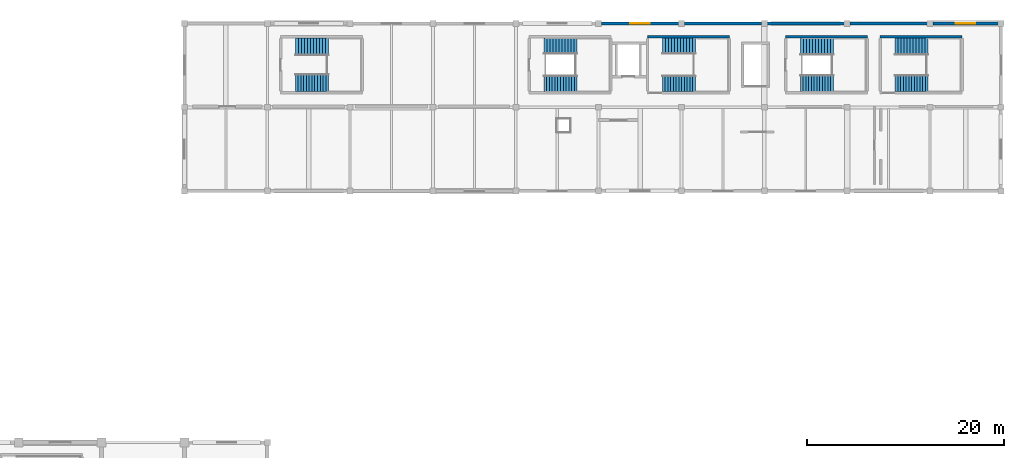
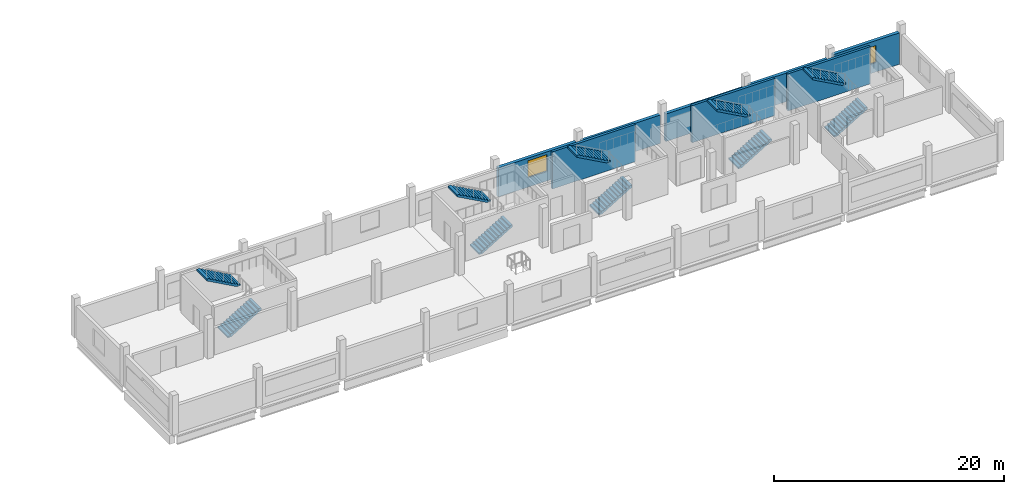
# One storey, part 47 of 52: 10 stair flights, 8 walls, 2 windows, 2 openings, 5 elements without a shape of their own.
"""IFC4 building model written with IfcOpenShell, lengths in metres."""

from ifc_helpers import new_model, si_unit, direction, frame, frame_2d, origin, place, context, subcontext, project, spatial, polyline, rectangle, outline, extrude, material, layer, layer_set, type_object, element, fill, aggregate, save


model = new_model("IFC4")

# Units and contexts
model_context = context("Model", 3, precision=1e-05, world=origin(), true_north=direction((0.0, 1.0)))
body_context = subcontext(model_context, "Body", "Model", "MODEL_VIEW")
ifc_project = project(units=[si_unit("LENGTHUNIT", "METRE"), si_unit("AREAUNIT", "SQUARE_METRE"), si_unit("VOLUMEUNIT", "CUBIC_METRE"), si_unit("PLANEANGLEUNIT", "RADIAN"), si_unit("MASSUNIT", "GRAM", prefix="KILO")], contexts=[model_context])

# Site, building, storey
site_placement = place(None, origin())
site = spatial("IfcSite", under=ifc_project, at=site_placement, CompositionType="ELEMENT")
building_placement = place(site_placement, origin())
building = spatial("IfcBuilding", under=site, at=building_placement, Name="Solvento Point Concert Hall", CompositionType="ELEMENT")
storey_placement = place(building_placement, frame((0.0, 0.0, 19.5)))
storey = spatial("IfcBuildingStorey", under=building, at=storey_placement, Name="L04", CompositionType="ELEMENT", Elevation=19.5)

# Walls
ifc_material_1 = material(Name="Concrete C40/50", Category="concrete")
ifc_layer_1 = layer(ifc_material_1, 0.300048828125)
ifc_layer_set_1 = layer_set([ifc_layer_1], Name="Concrete C40/50")
wall_type_1 = type_object("IfcWallType", Name="CoreShearWall_300", PredefinedType="SHEAR", material=ifc_layer_set_1)
for number, where, z_axis, x_axis, name in (
    (1, (194.14990234375, 134.64990234375, 0.0), (0.0, 0.0, 1.0), (1.0, 0.0, 0.0), "Stair core shear wall W-SH1 ST-02 L04"),
    (2, (180.14990234375, 134.64990234375, 0.0), (0.0, 0.0, 1.0), (1.0, 0.0, 0.0), "Stair core shear wall W-SH1 ST-10 L04"),
    (3, (203.75, 134.64990234375, 0.0), (0.0, 0.0, 1.0), (1.0, 0.0, 0.0), "Stair core shear wall W-SH1 ST-11 L04"),
):
    element("IfcWall", number, at=place(storey_placement, frame(where, z_axis=z_axis, x_axis=x_axis)), inside=storey, type_object=wall_type_1, Name=name, PredefinedType="SHEAR", context=body_context, shape_type="SweptSolid", body=[
        extrude(rectangle(XDim=8.300048828125, YDim=0.25, at=frame_2d((4.14990234375, 0.0))), origin(), (0.0, 0.0, 1.0), 3.93994140625),
    ])

# Wall, opening, window
ifc_material_2 = material(Name="Concrete C35/45", Category="concrete")
ifc_layer_2 = layer(ifc_material_2, 0.330078125)
ifc_layer_set_2 = layer_set([ifc_layer_2], Name="Concrete C35/45")
wall_type_2 = type_object("IfcWallType", Name="ExtWall_V5_Plinth_330", PredefinedType="SOLIDWALL", material=ifc_layer_set_2)
wall_1_placement = place(storey_placement, frame((175.47998046875, 136.0, 0.0), z_axis=(0.0, 0.0, 1.0), x_axis=(1.0, 0.0, 0.0)))
wall_1 = element("IfcWall", 4, at=wall_1_placement, inside=storey, type_object=wall_type_2, Name="Exterior architectural concrete wall EW-72 L04", PredefinedType="SOLIDWALL", context=body_context, shape_type="SweptSolid", body=[
    extrude(rectangle(XDim=7.840087890625, YDim=0.330078125, at=frame_2d((3.919921875, 0.0))), origin(), (0.0, 0.0, 1.0), 3.074951171875),
])
opening_1_placement = place(wall_1_placement, frame((2.945068359375, 0.0, 1.0)))
opening_1 = element("IfcOpeningElement", 5, at=opening_1_placement, cuts=wall_1, Name="Opening WN-59", PredefinedType="OPENING", context=body_context, shape_type="SweptSolid", body=[
    extrude(rectangle(XDim=1.949951171875, YDim=1.800048828125, at=frame_2d((0.97509765625, 0.89990234375))), frame((0.0, 0.175048828125, 0.0), z_axis=(0.0, -1.0, 0.0), x_axis=(1.0, 0.0, 0.0)), (0.0, 0.0, 1.0), 0.35009765625),
])
ifc_material_3 = material(Name="Hurricane Laminated Low-E Glass", Category="glass")
window_type = type_object("IfcWindowType", Name="Win_V5_Faculty_L04", PartitioningType="SINGLE_PANEL", PredefinedType="WINDOW", material=ifc_material_3)
window_1_placement = place(opening_1_placement, origin())
window_1 = element("IfcWindow", 6, at=window_1_placement, inside=storey, type_object=window_type, Name="Impact acoustic window WN-59", OverallHeight=1.800048828125, OverallWidth=1.949951171875, PartitioningType="SINGLE_PANEL", PredefinedType="WINDOW", context=body_context, shape_type="SweptSolid", body=[
    extrude(rectangle(XDim=1.949951171875, YDim=1.800048828125, at=frame_2d((0.97509765625, 0.89990234375))), frame((0.0, 0.030029296875, 0.0), z_axis=(0.0, -1.0, 0.0), x_axis=(1.0, 0.0, 0.0)), (0.0, 0.0, 1.0), 0.06005859375),
])
fill(opening_1, window_1)

# Walls
wall_2_placement = place(storey_placement, frame((183.8798828125, 136.0, 0.0), z_axis=(0.0, 0.0, 1.0), x_axis=(1.0, 0.0, 0.0)))
element("IfcWall", 7, at=wall_2_placement, inside=storey, type_object=wall_type_2, Name="Exterior architectural concrete wall EW-72 L04", PredefinedType="SOLIDWALL", context=body_context, shape_type="SweptSolid", body=[
    extrude(rectangle(XDim=7.840087890625, YDim=0.330078125, at=frame_2d((3.919921875, 0.0))), origin(), (0.0, 0.0, 1.0), 3.007080078125),
])
wall_3_placement = place(storey_placement, frame((192.280029296875, 136.0, 0.0), z_axis=(0.0, 0.0, 1.0), x_axis=(1.0, 0.0, 0.0)))
element("IfcWall", 8, at=wall_3_placement, inside=storey, type_object=wall_type_2, Name="Exterior architectural concrete wall EW-72 L04", PredefinedType="SOLIDWALL", context=body_context, shape_type="SweptSolid", body=[
    extrude(rectangle(XDim=7.840087890625, YDim=0.330078125, at=frame_2d((3.919921875, 0.0))), origin(), (0.0, 0.0, 1.0), 2.907958984375),
])
wall_4_placement = place(storey_placement, frame((200.679931640625, 136.0, 0.0), z_axis=(0.0, 0.0, 1.0), x_axis=(1.0, 0.0, 0.0)))
element("IfcWall", 9, at=wall_4_placement, inside=storey, type_object=wall_type_2, Name="Exterior architectural concrete wall EW-72 L04", PredefinedType="SOLIDWALL", context=body_context, shape_type="SweptSolid", body=[
    extrude(rectangle(XDim=7.840087890625, YDim=0.330078125, at=frame_2d((3.919921875, 0.0))), origin(), (0.0, 0.0, 1.0), 3.033935546875),
])

# Wall, opening, window
wall_5_placement = place(storey_placement, frame((209.080078125, 136.0, 0.0), z_axis=(0.0, 0.0, 1.0), x_axis=(1.0, 0.0, 0.0)))
wall_5 = element("IfcWall", 10, at=wall_5_placement, inside=storey, type_object=wall_type_2, Name="Exterior architectural concrete wall EW-72 L04", PredefinedType="SOLIDWALL", context=body_context, shape_type="SweptSolid", body=[
    extrude(rectangle(XDim=6.639892578125, YDim=0.330078125, at=frame_2d((3.31982421875, 0.0))), origin(), (0.0, 0.0, 1.0), 3.325927734375),
])
opening_2_placement = place(wall_5_placement, frame((2.344970703125, 0.0, 1.0)))
opening_2 = element("IfcOpeningElement", 11, at=opening_2_placement, cuts=wall_5, Name="Opening WN-59", PredefinedType="OPENING", context=body_context, shape_type="SweptSolid", body=[
    extrude(rectangle(XDim=1.949951171875, YDim=1.800048828125, at=frame_2d((0.97509765625, 0.89990234375))), frame((0.0, 0.175048828125, 0.0), z_axis=(0.0, -1.0, 0.0), x_axis=(1.0, 0.0, 0.0)), (0.0, 0.0, 1.0), 0.35009765625),
])
window_2_placement = place(opening_2_placement, origin())
window_2 = element("IfcWindow", 12, at=window_2_placement, inside=storey, type_object=window_type, Name="Impact acoustic window WN-59", OverallHeight=1.800048828125, OverallWidth=1.949951171875, PartitioningType="SINGLE_PANEL", PredefinedType="WINDOW", context=body_context, shape_type="SweptSolid", body=[
    extrude(rectangle(XDim=1.949951171875, YDim=1.800048828125, at=frame_2d((0.97509765625, 0.89990234375))), frame((0.0, 0.030029296875, 0.0), z_axis=(0.0, -1.0, 0.0), x_axis=(1.0, 0.0, 0.0)), (0.0, 0.0, 1.0), 0.06005859375),
])
fill(opening_2, window_2)

# Stair, stair flights
ifc_material_4 = material(Name="Concrete C35/45", Category="concrete")
stair_type_1 = type_object("IfcStairType", Name="CoreStair_1600", PredefinedType="HALF_TURN_STAIR", material=ifc_material_4)
stair_1_placement = place(storey_placement, origin())
stair_1 = element("IfcStair", 13, at=stair_1_placement, inside=storey, type_object=stair_type_1, Name="Protected exit stair ST-01 (L04 to L05)", PredefinedType="HALF_TURN_STAIR")
ifc_material_5 = material(Name="Concrete C35/45", Category="concrete")
stair_flight_type_1 = type_object("IfcStairFlightType", Name="StairFlight_1600", PredefinedType="STRAIGHT", material=ifc_material_5)
stair_flight_1_placement = place(storey_placement, frame((169.64990234375, 129.89990234375, 0.0), z_axis=(0.0, 0.0, 1.0), x_axis=(1.0, 0.0, 0.0)))
stair_flight_1 = element("IfcStairFlight", 14, at=stair_flight_1_placement, type_object=stair_flight_type_1, Name="Stair flight ST-01 L04 lower", NumberOfRisers=13, NumberOfTreads=12, PredefinedType="STRAIGHT", RiserHeight=0.168, TreadLength=0.28, context=body_context, shape_type="SweptSolid", body=[
    extrude(outline(polyline([(0.0, 0.0), (0.0, 0.16796875), (0.280029296875, 0.16796875), (0.280029296875, 0.3359375), (0.56005859375, 0.3359375), (0.56005859375, 0.50390625), (0.840087890625, 0.50390625), (0.840087890625, 0.672119140625), (1.1201171875, 0.672119140625), (1.1201171875, 0.840087890625), (1.39990234375, 0.840087890625), (1.39990234375, 1.008056640625), (1.679931640625, 1.008056640625), (1.679931640625, 1.176025390625), (1.9599609375, 1.176025390625), (1.9599609375, 1.343994140625), (2.239990234375, 1.343994140625), (2.239990234375, 1.511962890625), (2.52001953125, 1.511962890625), (2.52001953125, 1.679931640625), (2.800048828125, 1.679931640625), (2.800048828125, 1.847900390625), (3.080078125, 1.847900390625), (3.080078125, 2.01611328125), (3.360107421875, 2.01611328125), (3.360107421875, 2.18408203125), (3.360107421875, 1.80615234375), (0.349609375, 0.0), (0.0, 0.0)])), frame((0.0, 0.800048828125, 0.0), z_axis=(0.0, -1.0, 0.0), x_axis=(1.0, 0.0, 0.0)), (0.0, 0.0, 1.0), 1.60009765625),
])
stair_flight_2_placement = place(storey_placement, frame((173.010009765625, 133.699951171875, 2.18408203125), z_axis=(0.0, 0.0, 1.0), x_axis=(-1.0, 0.0, 0.0)))
stair_flight_2 = element("IfcStairFlight", 15, at=stair_flight_2_placement, type_object=stair_flight_type_1, Name="Stair flight ST-01 L04 upper", NumberOfRisers=12, NumberOfTreads=11, PredefinedType="STRAIGHT", RiserHeight=0.168, TreadLength=0.30545, context=body_context, shape_type="SweptSolid", body=[
    extrude(outline(polyline([(0.0, 0.0), (0.0, 0.16796875), (0.305419921875, 0.16796875), (0.305419921875, 0.3359375), (0.61083984375, 0.3359375), (0.61083984375, 0.50390625), (0.916259765625, 0.50390625), (0.916259765625, 0.672119140625), (1.2216796875, 0.672119140625), (1.2216796875, 0.840087890625), (1.52734375, 0.840087890625), (1.52734375, 1.008056640625), (1.832763671875, 1.008056640625), (1.832763671875, 1.176025390625), (2.13818359375, 1.176025390625), (2.13818359375, 1.343994140625), (2.443603515625, 1.343994140625), (2.443603515625, 1.511962890625), (2.7490234375, 1.511962890625), (2.7490234375, 1.679931640625), (3.054443359375, 1.679931640625), (3.054443359375, 1.847900390625), (3.35986328125, 1.847900390625), (3.35986328125, 2.01611328125), (3.35986328125, 1.642578125), (0.373291015625, 0.0), (0.0, 0.0)])), frame((0.0, 0.800048828125, 0.0), z_axis=(0.0, -1.0, 0.0), x_axis=(1.0, 0.0, 0.0)), (0.0, 0.0, 1.0), 1.60009765625),
])
aggregate(stair_1, [stair_flight_1, stair_flight_2])

stair_2_placement = place(storey_placement, origin())
stair_2 = element("IfcStair", 16, at=stair_2_placement, inside=storey, type_object=stair_type_1, Name="Protected exit stair ST-10 (L04 to L05)", PredefinedType="HALF_TURN_STAIR")
stair_flight_3_placement = place(storey_placement, frame((181.64990234375, 129.89990234375, 0.0), z_axis=(0.0, 0.0, 1.0), x_axis=(1.0, 0.0, 0.0)))
stair_flight_3 = element("IfcStairFlight", 17, at=stair_flight_3_placement, type_object=stair_flight_type_1, Name="Stair flight ST-10 L04 lower", NumberOfRisers=13, NumberOfTreads=12, PredefinedType="STRAIGHT", RiserHeight=0.168, TreadLength=0.28, context=body_context, shape_type="SweptSolid", body=[
    extrude(outline(polyline([(0.0, 0.0), (0.0, 0.16796875), (0.280029296875, 0.16796875), (0.280029296875, 0.3359375), (0.56005859375, 0.3359375), (0.56005859375, 0.50390625), (0.840087890625, 0.50390625), (0.840087890625, 0.672119140625), (1.1201171875, 0.672119140625), (1.1201171875, 0.840087890625), (1.39990234375, 0.840087890625), (1.39990234375, 1.008056640625), (1.679931640625, 1.008056640625), (1.679931640625, 1.176025390625), (1.9599609375, 1.176025390625), (1.9599609375, 1.343994140625), (2.239990234375, 1.343994140625), (2.239990234375, 1.511962890625), (2.52001953125, 1.511962890625), (2.52001953125, 1.679931640625), (2.800048828125, 1.679931640625), (2.800048828125, 1.847900390625), (3.080078125, 1.847900390625), (3.080078125, 2.01611328125), (3.360107421875, 2.01611328125), (3.360107421875, 2.18408203125), (3.360107421875, 1.80615234375), (0.349609375, 0.0), (0.0, 0.0)])), frame((0.0, 0.800048828125, 0.0), z_axis=(0.0, -1.0, 0.0), x_axis=(1.0, 0.0, 0.0)), (0.0, 0.0, 1.0), 1.60009765625),
])
stair_flight_4_placement = place(storey_placement, frame((185.010009765625, 133.699951171875, 2.18408203125), z_axis=(0.0, 0.0, 1.0), x_axis=(-1.0, 0.0, 0.0)))
stair_flight_4 = element("IfcStairFlight", 18, at=stair_flight_4_placement, type_object=stair_flight_type_1, Name="Stair flight ST-10 L04 upper", NumberOfRisers=12, NumberOfTreads=11, PredefinedType="STRAIGHT", RiserHeight=0.168, TreadLength=0.30545, context=body_context, shape_type="SweptSolid", body=[
    extrude(outline(polyline([(0.0, 0.0), (0.0, 0.16796875), (0.305419921875, 0.16796875), (0.305419921875, 0.3359375), (0.61083984375, 0.3359375), (0.61083984375, 0.50390625), (0.916259765625, 0.50390625), (0.916259765625, 0.672119140625), (1.2216796875, 0.672119140625), (1.2216796875, 0.840087890625), (1.52734375, 0.840087890625), (1.52734375, 1.008056640625), (1.832763671875, 1.008056640625), (1.832763671875, 1.176025390625), (2.13818359375, 1.176025390625), (2.13818359375, 1.343994140625), (2.443603515625, 1.343994140625), (2.443603515625, 1.511962890625), (2.7490234375, 1.511962890625), (2.7490234375, 1.679931640625), (3.054443359375, 1.679931640625), (3.054443359375, 1.847900390625), (3.35986328125, 1.847900390625), (3.35986328125, 2.01611328125), (3.35986328125, 1.642578125), (0.373291015625, 0.0), (0.0, 0.0)])), frame((0.0, 0.800048828125, 0.0), z_axis=(0.0, -1.0, 0.0), x_axis=(1.0, 0.0, 0.0)), (0.0, 0.0, 1.0), 1.60009765625),
])
aggregate(stair_2, [stair_flight_3, stair_flight_4])

ifc_material_6 = material(Name="Concrete C35/45", Category="concrete")
stair_type_2 = type_object("IfcStairType", Name="CoreStair_1680", PredefinedType="HALF_TURN_STAIR", material=ifc_material_6)
stair_3_placement = place(storey_placement, origin())
stair_3 = element("IfcStair", 19, at=stair_3_placement, inside=storey, type_object=stair_type_2, Name="Protected exit stair ST-02 (L04 to L05)", PredefinedType="HALF_TURN_STAIR")
ifc_material_7 = material(Name="Concrete C35/45", Category="concrete")
stair_flight_type_2 = type_object("IfcStairFlightType", Name="StairFlight_1680", PredefinedType="STRAIGHT", material=ifc_material_7)
stair_flight_5_placement = place(storey_placement, frame((195.64990234375, 129.93994140625, 0.0), z_axis=(0.0, 0.0, 1.0), x_axis=(1.0, 0.0, 0.0)))
stair_flight_5 = element("IfcStairFlight", 20, at=stair_flight_5_placement, type_object=stair_flight_type_2, Name="Stair flight ST-02 L04 lower", NumberOfRisers=13, NumberOfTreads=12, PredefinedType="STRAIGHT", RiserHeight=0.168, TreadLength=0.28, context=body_context, shape_type="SweptSolid", body=[
    extrude(outline(polyline([(0.0, 0.0), (0.0, 0.16796875), (0.280029296875, 0.16796875), (0.280029296875, 0.3359375), (0.56005859375, 0.3359375), (0.56005859375, 0.50390625), (0.840087890625, 0.50390625), (0.840087890625, 0.672119140625), (1.1201171875, 0.672119140625), (1.1201171875, 0.840087890625), (1.39990234375, 0.840087890625), (1.39990234375, 1.008056640625), (1.679931640625, 1.008056640625), (1.679931640625, 1.176025390625), (1.9599609375, 1.176025390625), (1.9599609375, 1.343994140625), (2.239990234375, 1.343994140625), (2.239990234375, 1.511962890625), (2.52001953125, 1.511962890625), (2.52001953125, 1.679931640625), (2.800048828125, 1.679931640625), (2.800048828125, 1.847900390625), (3.080078125, 1.847900390625), (3.080078125, 2.01611328125), (3.360107421875, 2.01611328125), (3.360107421875, 2.18408203125), (3.360107421875, 1.80615234375), (0.349609375, 0.0), (0.0, 0.0)])), frame((0.0, 0.83984375, 0.0), z_axis=(0.0, -1.0, 0.0), x_axis=(1.0, 0.0, 0.0)), (0.0, 0.0, 1.0), 1.679931640625),
])
stair_flight_6_placement = place(storey_placement, frame((199.010009765625, 133.659912109375, 2.18408203125), z_axis=(0.0, 0.0, 1.0), x_axis=(-1.0, 0.0, 0.0)))
stair_flight_6 = element("IfcStairFlight", 21, at=stair_flight_6_placement, type_object=stair_flight_type_2, Name="Stair flight ST-02 L04 upper", NumberOfRisers=12, NumberOfTreads=11, PredefinedType="STRAIGHT", RiserHeight=0.168, TreadLength=0.30545, context=body_context, shape_type="SweptSolid", body=[
    extrude(outline(polyline([(0.0, 0.0), (0.0, 0.16796875), (0.305419921875, 0.16796875), (0.305419921875, 0.3359375), (0.61083984375, 0.3359375), (0.61083984375, 0.50390625), (0.916259765625, 0.50390625), (0.916259765625, 0.672119140625), (1.2216796875, 0.672119140625), (1.2216796875, 0.840087890625), (1.52734375, 0.840087890625), (1.52734375, 1.008056640625), (1.832763671875, 1.008056640625), (1.832763671875, 1.176025390625), (2.13818359375, 1.176025390625), (2.13818359375, 1.343994140625), (2.443603515625, 1.343994140625), (2.443603515625, 1.511962890625), (2.7490234375, 1.511962890625), (2.7490234375, 1.679931640625), (3.054443359375, 1.679931640625), (3.054443359375, 1.847900390625), (3.35986328125, 1.847900390625), (3.35986328125, 2.01611328125), (3.35986328125, 1.642578125), (0.373291015625, 0.0), (0.0, 0.0)])), frame((0.0, 0.83984375, 0.0), z_axis=(0.0, -1.0, 0.0), x_axis=(1.0, 0.0, 0.0)), (0.0, 0.0, 1.0), 1.679931640625),
])
aggregate(stair_3, [stair_flight_5, stair_flight_6])

stair_4_placement = place(storey_placement, origin())
stair_4 = element("IfcStair", 22, at=stair_4_placement, inside=storey, type_object=stair_type_2, Name="Protected exit stair ST-11 (L04 to L05)", PredefinedType="HALF_TURN_STAIR")
stair_flight_7_placement = place(storey_placement, frame((205.25, 129.93994140625, 0.0), z_axis=(0.0, 0.0, 1.0), x_axis=(1.0, 0.0, 0.0)))
stair_flight_7 = element("IfcStairFlight", 23, at=stair_flight_7_placement, type_object=stair_flight_type_2, Name="Stair flight ST-11 L04 lower", NumberOfRisers=13, NumberOfTreads=12, PredefinedType="STRAIGHT", RiserHeight=0.168, TreadLength=0.28, context=body_context, shape_type="SweptSolid", body=[
    extrude(outline(polyline([(0.0, 0.0), (0.0, 0.16796875), (0.280029296875, 0.16796875), (0.280029296875, 0.3359375), (0.56005859375, 0.3359375), (0.56005859375, 0.50390625), (0.840087890625, 0.50390625), (0.840087890625, 0.672119140625), (1.1201171875, 0.672119140625), (1.1201171875, 0.840087890625), (1.39990234375, 0.840087890625), (1.39990234375, 1.008056640625), (1.679931640625, 1.008056640625), (1.679931640625, 1.176025390625), (1.9599609375, 1.176025390625), (1.9599609375, 1.343994140625), (2.239990234375, 1.343994140625), (2.239990234375, 1.511962890625), (2.52001953125, 1.511962890625), (2.52001953125, 1.679931640625), (2.800048828125, 1.679931640625), (2.800048828125, 1.847900390625), (3.080078125, 1.847900390625), (3.080078125, 2.01611328125), (3.360107421875, 2.01611328125), (3.360107421875, 2.18408203125), (3.360107421875, 1.80615234375), (0.349609375, 0.0), (0.0, 0.0)])), frame((0.0, 0.83984375, 0.0), z_axis=(0.0, -1.0, 0.0), x_axis=(1.0, 0.0, 0.0)), (0.0, 0.0, 1.0), 1.679931640625),
])
stair_flight_8_placement = place(storey_placement, frame((208.610107421875, 133.659912109375, 2.18408203125), z_axis=(0.0, 0.0, 1.0), x_axis=(-1.0, 0.0, 0.0)))
stair_flight_8 = element("IfcStairFlight", 24, at=stair_flight_8_placement, type_object=stair_flight_type_2, Name="Stair flight ST-11 L04 upper", NumberOfRisers=12, NumberOfTreads=11, PredefinedType="STRAIGHT", RiserHeight=0.168, TreadLength=0.30545, context=body_context, shape_type="SweptSolid", body=[
    extrude(outline(polyline([(0.0, 0.0), (0.0, 0.16796875), (0.305419921875, 0.16796875), (0.305419921875, 0.3359375), (0.61083984375, 0.3359375), (0.61083984375, 0.50390625), (0.916259765625, 0.50390625), (0.916259765625, 0.672119140625), (1.2216796875, 0.672119140625), (1.2216796875, 0.840087890625), (1.52734375, 0.840087890625), (1.52734375, 1.008056640625), (1.832763671875, 1.008056640625), (1.832763671875, 1.176025390625), (2.13818359375, 1.176025390625), (2.13818359375, 1.343994140625), (2.443603515625, 1.343994140625), (2.443603515625, 1.511962890625), (2.7490234375, 1.511962890625), (2.7490234375, 1.679931640625), (3.054443359375, 1.679931640625), (3.054443359375, 1.847900390625), (3.35986328125, 1.847900390625), (3.35986328125, 2.01611328125), (3.35986328125, 1.642578125), (0.373291015625, 0.0), (0.0, 0.0)])), frame((0.0, 0.83984375, 0.0), z_axis=(0.0, -1.0, 0.0), x_axis=(1.0, 0.0, 0.0)), (0.0, 0.0, 1.0), 1.679931640625),
])
aggregate(stair_4, [stair_flight_7, stair_flight_8])

ifc_material_8 = material(Name="Concrete C35/45", Category="concrete")
stair_type_3 = type_object("IfcStairType", Name="CoreStair_1760", PredefinedType="HALF_TURN_STAIR", material=ifc_material_8)
stair_5_placement = place(storey_placement, origin())
stair_5 = element("IfcStair", 25, at=stair_5_placement, inside=storey, type_object=stair_type_3, Name="Protected exit stair ST-12 (L04 to L05)", PredefinedType="HALF_TURN_STAIR")
ifc_material_9 = material(Name="Concrete C35/45", Category="concrete")
stair_flight_type_3 = type_object("IfcStairFlightType", Name="StairFlight_1760", PredefinedType="STRAIGHT", material=ifc_material_9)
stair_flight_9_placement = place(storey_placement, frame((144.449951171875, 129.97998046875, 0.0), z_axis=(0.0, 0.0, 1.0), x_axis=(1.0, 0.0, 0.0)))
stair_flight_9 = element("IfcStairFlight", 26, at=stair_flight_9_placement, type_object=stair_flight_type_3, Name="Stair flight ST-12 L04 lower", NumberOfRisers=13, NumberOfTreads=12, PredefinedType="STRAIGHT", RiserHeight=0.168, TreadLength=0.28, context=body_context, shape_type="SweptSolid", body=[
    extrude(outline(polyline([(0.0, 0.0), (0.0, 0.16796875), (0.280029296875, 0.16796875), (0.280029296875, 0.3359375), (0.56005859375, 0.3359375), (0.56005859375, 0.50390625), (0.840087890625, 0.50390625), (0.840087890625, 0.672119140625), (1.1201171875, 0.672119140625), (1.1201171875, 0.840087890625), (1.39990234375, 0.840087890625), (1.39990234375, 1.008056640625), (1.679931640625, 1.008056640625), (1.679931640625, 1.176025390625), (1.9599609375, 1.176025390625), (1.9599609375, 1.343994140625), (2.239990234375, 1.343994140625), (2.239990234375, 1.511962890625), (2.52001953125, 1.511962890625), (2.52001953125, 1.679931640625), (2.800048828125, 1.679931640625), (2.800048828125, 1.847900390625), (3.080078125, 1.847900390625), (3.080078125, 2.01611328125), (3.360107421875, 2.01611328125), (3.360107421875, 2.18408203125), (3.360107421875, 1.80615234375), (0.349609375, 0.0), (0.0, 0.0)])), frame((0.0, 0.8798828125, 0.0), z_axis=(0.0, -1.0, 0.0), x_axis=(1.0, 0.0, 0.0)), (0.0, 0.0, 1.0), 1.760009765625),
])
stair_flight_10_placement = place(storey_placement, frame((147.81005859375, 133.6201171875, 2.18408203125), z_axis=(0.0, 0.0, 1.0), x_axis=(-1.0, 0.0, 0.0)))
stair_flight_10 = element("IfcStairFlight", 27, at=stair_flight_10_placement, type_object=stair_flight_type_3, Name="Stair flight ST-12 L04 upper", NumberOfRisers=12, NumberOfTreads=11, PredefinedType="STRAIGHT", RiserHeight=0.168, TreadLength=0.30545, context=body_context, shape_type="SweptSolid", body=[
    extrude(outline(polyline([(0.0, 0.0), (0.0, 0.16796875), (0.305419921875, 0.16796875), (0.305419921875, 0.3359375), (0.61083984375, 0.3359375), (0.61083984375, 0.50390625), (0.916259765625, 0.50390625), (0.916259765625, 0.672119140625), (1.2216796875, 0.672119140625), (1.2216796875, 0.840087890625), (1.52734375, 0.840087890625), (1.52734375, 1.008056640625), (1.832763671875, 1.008056640625), (1.832763671875, 1.176025390625), (2.13818359375, 1.176025390625), (2.13818359375, 1.343994140625), (2.443603515625, 1.343994140625), (2.443603515625, 1.511962890625), (2.7490234375, 1.511962890625), (2.7490234375, 1.679931640625), (3.054443359375, 1.679931640625), (3.054443359375, 1.847900390625), (3.35986328125, 1.847900390625), (3.35986328125, 2.01611328125), (3.35986328125, 1.642578125), (0.373291015625, 0.0), (0.0, 0.0)])), frame((0.0, 0.8798828125, 0.0), z_axis=(0.0, -1.0, 0.0), x_axis=(1.0, 0.0, 0.0)), (0.0, 0.0, 1.0), 1.760009765625),
])
aggregate(stair_5, [stair_flight_9, stair_flight_10])

save(model, "model.ifc")
